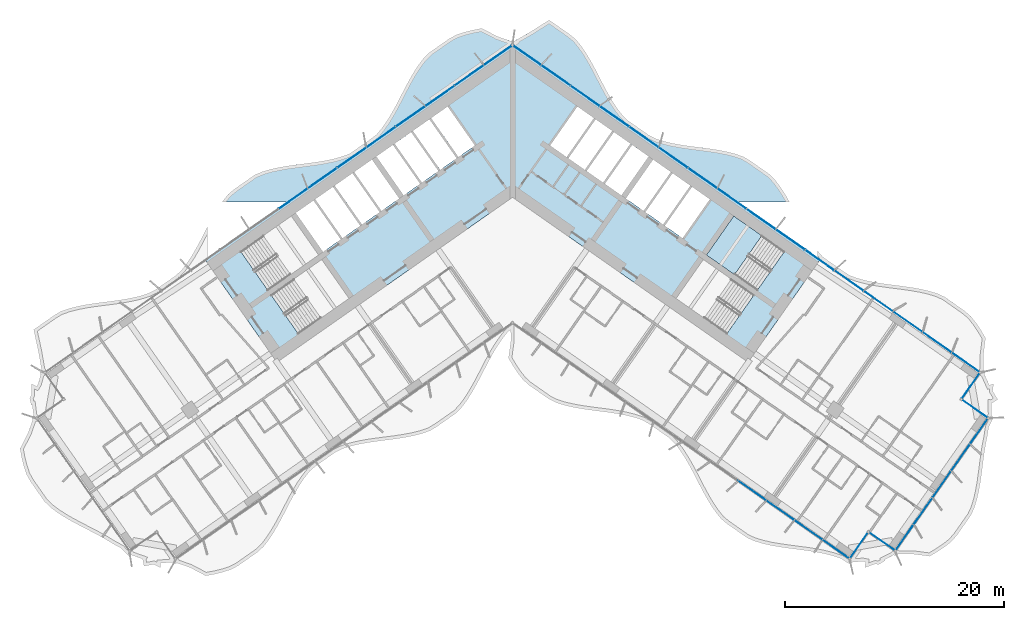
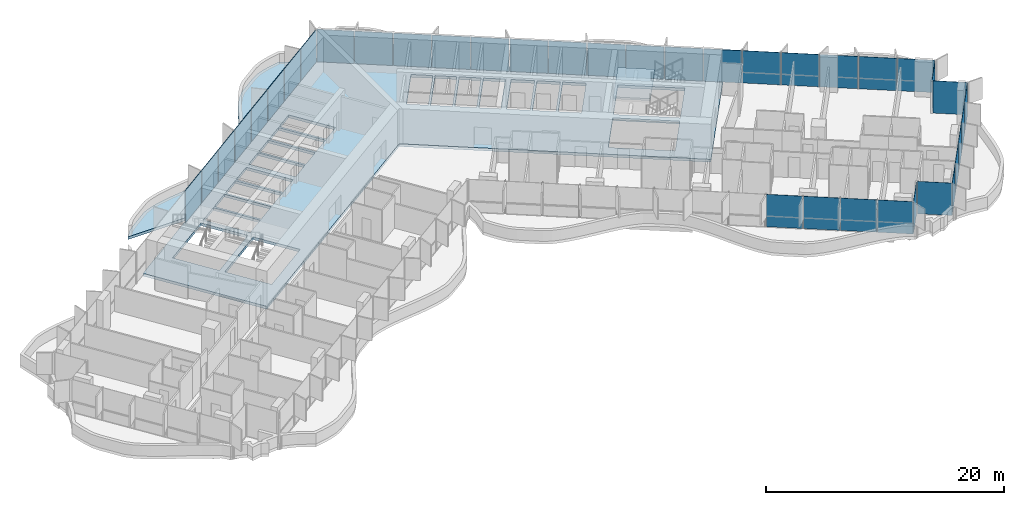
# One storey, part 12 of 25: 37 plates, 3 slabs, 3 elements without a shape of their own.
"""IFC4 building model written with IfcOpenShell, lengths in metres."""

from ifc_helpers import new_model, si_unit, direction, frame, origin, origin_2d, place, context, subcontext, project, spatial, polyline, rectangle, outline, extrude, material, layer, layer_set, type_object, element, aggregate, save


model = new_model("IFC4")

# Units and contexts
model_context = context("Model", 3, precision=1e-05, world=origin(), true_north=direction((0.0, 1.0)))
body_context = subcontext(model_context, "Body", "Model", "MODEL_VIEW")
ifc_project = project(units=[si_unit("LENGTHUNIT", "METRE"), si_unit("AREAUNIT", "SQUARE_METRE"), si_unit("VOLUMEUNIT", "CUBIC_METRE"), si_unit("PLANEANGLEUNIT", "RADIAN"), si_unit("MASSUNIT", "GRAM", prefix="KILO")], contexts=[model_context])

# Site, building, storey
site_placement = place(None, origin())
site = spatial("IfcSite", under=ifc_project, at=site_placement, CompositionType="ELEMENT")
building_placement = place(site_placement, origin())
building = spatial("IfcBuilding", under=site, at=building_placement, Name="Tel Ilan Convention Tower", CompositionType="ELEMENT")
storey_placement = place(building_placement, frame((0.0, 0.0, 61.699951171875)))
storey = spatial("IfcBuildingStorey", under=building, at=storey_placement, Name="L10", CompositionType="ELEMENT", Elevation=61.699951171875)

# Curtain wall, plates
ifc_material_1 = material(Name="Aluminium, bronze anodised", Category="aluminium")
curtain_wall_type_1 = type_object("IfcCurtainWallType", Name="CW1 UNITISED CURTAIN WALL, HOTEL TINTED GLASS", PredefinedType="NOTDEFINED", material=ifc_material_1)
curtain_wall_1_placement = place(storey_placement, origin())
curtain_wall_1 = element("IfcCurtainWall", 1, at=curtain_wall_1_placement, inside=storey, type_object=curtain_wall_type_1, Name="Curtain wall CW1-11.02", PredefinedType="NOTDEFINED")
ifc_material_2 = material(Name="Glass, bronze tinted, two-ply unitised", Category="glass")
ifc_layer_1 = layer(ifc_material_2, 0.028076171875)
ifc_layer_set_1 = layer_set([ifc_layer_1], Name="CW HOTEL GLASS PANEL 28")
plate_type_1 = type_object("IfcPlateType", Name="CW HOTEL GLASS PANEL 28", PredefinedType="CURTAIN_PANEL", material=ifc_layer_set_1)
plate_1_placement = place(storey_placement, frame((21.90185546875, -28.031982421875, 0.0), z_axis=(0.0, 0.0, 1.0), x_axis=(0.819152044289, -0.573576436351, 0.0)))
plate_1 = element("IfcPlate", 2, at=plate_1_placement, type_object=plate_type_1, Name="Glass panel", PredefinedType="CURTAIN_PANEL", context=body_context, shape_type="SweptSolid", body=[
    extrude(rectangle(XDim=3.077392578125, YDim=0.028076171875, at=origin_2d()), origin(), (0.0, 0.0, 1.0), 3.320068359375),
])
plate_2_placement = place(storey_placement, frame((24.4716796875, -29.831298828125, 0.0), z_axis=(0.0, 0.0, 1.0), x_axis=(0.819152044289, -0.573576436351, 0.0)))
plate_2 = element("IfcPlate", 3, at=plate_2_placement, type_object=plate_type_1, Name="Glass panel", PredefinedType="CURTAIN_PANEL", context=body_context, shape_type="SweptSolid", body=[
    extrude(rectangle(XDim=3.077392578125, YDim=0.028076171875, at=origin_2d()), origin(), (0.0, 0.0, 1.0), 3.320068359375),
])
plate_3_placement = place(storey_placement, frame((27.041748046875, -31.630859375, 0.0), z_axis=(0.0, 0.0, 1.0), x_axis=(0.819152044289, -0.573576436351, 0.0)))
plate_3 = element("IfcPlate", 4, at=plate_3_placement, type_object=plate_type_1, Name="Glass panel", PredefinedType="CURTAIN_PANEL", context=body_context, shape_type="SweptSolid", body=[
    extrude(rectangle(XDim=3.077392578125, YDim=0.028076171875, at=origin_2d()), origin(), (0.0, 0.0, 1.0), 3.320068359375),
])
plate_4_placement = place(storey_placement, frame((29.5732421875, -33.4033203125, 0.0), z_axis=(0.0, 0.0, 1.0), x_axis=(0.819152044289, -0.573576436351, 0.0)))
plate_4 = element("IfcPlate", 5, at=plate_4_placement, type_object=plate_type_1, Name="Glass panel", PredefinedType="CURTAIN_PANEL", context=body_context, shape_type="SweptSolid", body=[
    extrude(rectangle(XDim=2.9833984375, YDim=0.028076171875, at=origin_2d()), origin(), (0.0, 0.0, 1.0), 3.320068359375),
])
plate_5_placement = place(storey_placement, frame((31.653076171875, -33.07568359375, 0.0), z_axis=(0.0, 0.0, 1.0), x_axis=(0.573576436351, 0.819152044289, 0.0)))
plate_5 = element("IfcPlate", 6, at=plate_5_placement, type_object=plate_type_1, Name="Glass panel", PredefinedType="CURTAIN_PANEL", context=body_context, shape_type="SweptSolid", body=[
    extrude(rectangle(XDim=2.875, YDim=0.028076171875, at=origin_2d()), origin(), (0.0, 0.0, 1.0), 3.320068359375),
])
plate_6_placement = place(storey_placement, frame((33.795654296875, -32.69775390625, 0.0), z_axis=(0.0, 0.0, 1.0), x_axis=(0.819152044289, -0.573576436351, 0.0)))
plate_6 = element("IfcPlate", 7, at=plate_6_placement, type_object=plate_type_1, Name="Glass panel", PredefinedType="CURTAIN_PANEL", context=body_context, shape_type="SweptSolid", body=[
    extrude(rectangle(XDim=2.875, YDim=0.028076171875, at=origin_2d()), origin(), (0.0, 0.0, 1.0), 3.320068359375),
])
plate_7_placement = place(storey_placement, frame((35.822998046875, -32.350830078125, 0.0), z_axis=(0.0, 0.0, 1.0), x_axis=(0.573576436351, 0.819152044289, 0.0)))
plate_7 = element("IfcPlate", 8, at=plate_7_placement, type_object=plate_type_1, Name="Glass panel", PredefinedType="CURTAIN_PANEL", context=body_context, shape_type="SweptSolid", body=[
    extrude(rectangle(XDim=2.845947265625, YDim=0.028076171875, at=origin_2d()), origin(), (0.0, 0.0, 1.0), 3.320068359375),
])
plate_8_placement = place(storey_placement, frame((37.5166015625, -29.931884765625, 0.0), z_axis=(0.0, 0.0, 1.0), x_axis=(0.573576436351, 0.819152044289, 0.0)))
plate_8 = element("IfcPlate", 9, at=plate_8_placement, type_object=plate_type_1, Name="Glass panel", PredefinedType="CURTAIN_PANEL", context=body_context, shape_type="SweptSolid", body=[
    extrude(rectangle(XDim=2.93994140625, YDim=0.028076171875, at=origin_2d()), origin(), (0.0, 0.0, 1.0), 3.320068359375),
])
plate_9_placement = place(storey_placement, frame((39.2373046875, -27.474365234375, 0.0), z_axis=(0.0, 0.0, 1.0), x_axis=(0.573576436351, 0.819152044289, 0.0)))
plate_9 = element("IfcPlate", 10, at=plate_9_placement, type_object=plate_type_1, Name="Glass panel", PredefinedType="CURTAIN_PANEL", context=body_context, shape_type="SweptSolid", body=[
    extrude(rectangle(XDim=2.93994140625, YDim=0.028076171875, at=origin_2d()), origin(), (0.0, 0.0, 1.0), 3.320068359375),
])
plate_10_placement = place(storey_placement, frame((40.9580078125, -25.016845703125, 0.0), z_axis=(0.0, 0.0, 1.0), x_axis=(0.573576436351, 0.819152044289, 0.0)))
plate_10 = element("IfcPlate", 11, at=plate_10_placement, type_object=plate_type_1, Name="Glass panel", PredefinedType="CURTAIN_PANEL", context=body_context, shape_type="SweptSolid", body=[
    extrude(rectangle(XDim=2.93994140625, YDim=0.028076171875, at=origin_2d()), origin(), (0.0, 0.0, 1.0), 3.320068359375),
])
plate_11_placement = place(storey_placement, frame((42.65185546875, -22.597900390625, 0.0), z_axis=(0.0, 0.0, 1.0), x_axis=(0.573576436351, 0.819152044289, 0.0)))
plate_11 = element("IfcPlate", 12, at=plate_11_placement, type_object=plate_type_1, Name="Glass panel", PredefinedType="CURTAIN_PANEL", context=body_context, shape_type="SweptSolid", body=[
    extrude(rectangle(XDim=2.845947265625, YDim=0.028076171875, at=origin_2d()), origin(), (0.0, 0.0, 1.0), 3.320068359375),
])
plate_12_placement = place(storey_placement, frame((42.28466796875, -20.57421875, 0.0), z_axis=(0.0, 0.0, 1.0), x_axis=(-0.819152044289, 0.573576436351, 0.0)))
plate_12 = element("IfcPlate", 13, at=plate_12_placement, type_object=plate_type_1, Name="Glass panel", PredefinedType="CURTAIN_PANEL", context=body_context, shape_type="SweptSolid", body=[
    extrude(rectangle(XDim=2.875, YDim=0.028076171875, at=origin_2d()), origin(), (0.0, 0.0, 1.0), 3.320068359375),
])
plate_13_placement = place(storey_placement, frame((41.90673828125, -18.431640625, 0.0), z_axis=(0.0, 0.0, 1.0), x_axis=(0.573576436351, 0.819152044289, 0.0)))
plate_13 = element("IfcPlate", 14, at=plate_13_placement, type_object=plate_type_1, Name="Glass panel", PredefinedType="CURTAIN_PANEL", context=body_context, shape_type="SweptSolid", body=[
    extrude(rectangle(XDim=2.875, YDim=0.028076171875, at=origin_2d()), origin(), (0.0, 0.0, 1.0), 3.320068359375),
])
plate_14_placement = place(storey_placement, frame((41.448486328125, -16.326416015625, 0.0), z_axis=(0.0, 0.0, 1.0), x_axis=(-0.819152044289, 0.573576436351, 0.0)))
plate_14 = element("IfcPlate", 15, at=plate_14_placement, type_object=plate_type_1, Name="Glass panel", PredefinedType="CURTAIN_PANEL", context=body_context, shape_type="SweptSolid", body=[
    extrude(rectangle(XDim=3.117919921875, YDim=0.028076171875, at=origin_2d()), origin(), (0.0, 0.0, 1.0), 3.320068359375),
])
plate_15_placement = place(storey_placement, frame((38.806640625, -14.4765625, 0.0), z_axis=(0.0, 0.0, 1.0), x_axis=(-0.819152044289, 0.573576436351, 0.0)))
plate_15 = element("IfcPlate", 16, at=plate_15_placement, type_object=plate_type_1, Name="Glass panel", PredefinedType="CURTAIN_PANEL", context=body_context, shape_type="SweptSolid", body=[
    extrude(rectangle(XDim=3.2119140625, YDim=0.028076171875, at=origin_2d()), origin(), (0.0, 0.0, 1.0), 3.320068359375),
])
plate_16_placement = place(storey_placement, frame((36.12646484375, -12.599853515625, 0.0), z_axis=(0.0, 0.0, 1.0), x_axis=(-0.819152044289, 0.573576436351, 0.0)))
plate_16 = element("IfcPlate", 17, at=plate_16_placement, type_object=plate_type_1, Name="Glass panel", PredefinedType="CURTAIN_PANEL", context=body_context, shape_type="SweptSolid", body=[
    extrude(rectangle(XDim=3.2119140625, YDim=0.028076171875, at=origin_2d()), origin(), (0.0, 0.0, 1.0), 3.320068359375),
])
plate_17_placement = place(storey_placement, frame((33.446044921875, -10.72314453125, 0.0), z_axis=(0.0, 0.0, 1.0), x_axis=(-0.819152044289, 0.573576436351, 0.0)))
plate_17 = element("IfcPlate", 18, at=plate_17_placement, type_object=plate_type_1, Name="Glass panel", PredefinedType="CURTAIN_PANEL", context=body_context, shape_type="SweptSolid", body=[
    extrude(rectangle(XDim=3.2119140625, YDim=0.028076171875, at=origin_2d()), origin(), (0.0, 0.0, 1.0), 3.320068359375),
])
plate_18_placement = place(storey_placement, frame((30.765869140625, -8.846435546875, 0.0), z_axis=(0.0, 0.0, 1.0), x_axis=(-0.819152044289, 0.573576436351, 0.0)))
plate_18 = element("IfcPlate", 19, at=plate_18_placement, type_object=plate_type_1, Name="Glass panel", PredefinedType="CURTAIN_PANEL", context=body_context, shape_type="SweptSolid", body=[
    extrude(rectangle(XDim=3.2119140625, YDim=0.028076171875, at=origin_2d()), origin(), (0.0, 0.0, 1.0), 3.320068359375),
])
aggregate(curtain_wall_1, [plate_1, plate_2, plate_3, plate_4, plate_5, plate_6, plate_7, plate_8, plate_9, plate_10, plate_11, plate_12, plate_13, plate_14, plate_15, plate_16, plate_17, plate_18])

ifc_material_3 = material(Name="Aluminium, bronze anodised", Category="aluminium")
curtain_wall_type_2 = type_object("IfcCurtainWallType", Name="CW2 STICK CURTAIN WALL, SPANDREL PANELS", PredefinedType="NOTDEFINED", material=ifc_material_3)
curtain_wall_2_placement = place(storey_placement, origin())
curtain_wall_2 = element("IfcCurtainWall", 20, at=curtain_wall_2_placement, inside=storey, type_object=curtain_wall_type_2, Name="Curtain wall CW2-11.01", PredefinedType="NOTDEFINED")
ifc_material_4 = material(Name="Aluminium composite panel, bronze anodised", Category="aluminium")
ifc_layer_2 = layer(ifc_material_4, 0.06005859375)
ifc_layer_set_2 = layer_set([ifc_layer_2], Name="CW SPANDREL PANEL 60")
plate_type_2 = type_object("IfcPlateType", Name="CW SPANDREL PANEL 60", PredefinedType="CURTAIN_PANEL", material=ifc_layer_set_2)
plate_19_placement = place(storey_placement, frame((28.08544921875, -6.9697265625, 0.0), z_axis=(0.0, 0.0, 1.0), x_axis=(-0.819152044289, 0.573576436351, 0.0)))
plate_19 = element("IfcPlate", 21, at=plate_19_placement, type_object=plate_type_2, Name="Spandrel panel", PredefinedType="CURTAIN_PANEL", context=body_context, shape_type="SweptSolid", body=[
    extrude(rectangle(XDim=3.2119140625, YDim=0.06005859375, at=origin_2d()), origin(), (0.0, 0.0, 1.0), 3.320068359375),
])
plate_20_placement = place(storey_placement, frame((25.4052734375, -5.0927734375, 0.0), z_axis=(0.0, 0.0, 1.0), x_axis=(-0.819152044289, 0.573576436351, 0.0)))
plate_20 = element("IfcPlate", 22, at=plate_20_placement, type_object=plate_type_2, Name="Spandrel panel", PredefinedType="CURTAIN_PANEL", context=body_context, shape_type="SweptSolid", body=[
    extrude(rectangle(XDim=3.2119140625, YDim=0.06005859375, at=origin_2d()), origin(), (0.0, 0.0, 1.0), 3.320068359375),
])
plate_21_placement = place(storey_placement, frame((22.72509765625, -3.216064453125, 0.0), z_axis=(0.0, 0.0, 1.0), x_axis=(-0.819152044289, 0.573576436351, 0.0)))
plate_21 = element("IfcPlate", 23, at=plate_21_placement, type_object=plate_type_2, Name="Spandrel panel", PredefinedType="CURTAIN_PANEL", context=body_context, shape_type="SweptSolid", body=[
    extrude(rectangle(XDim=3.2119140625, YDim=0.06005859375, at=origin_2d()), origin(), (0.0, 0.0, 1.0), 3.320068359375),
])
plate_22_placement = place(storey_placement, frame((20.044677734375, -1.33935546875, 0.0), z_axis=(0.0, 0.0, 1.0), x_axis=(-0.819152044289, 0.573576436351, 0.0)))
plate_22 = element("IfcPlate", 24, at=plate_22_placement, type_object=plate_type_2, Name="Spandrel panel", PredefinedType="CURTAIN_PANEL", context=body_context, shape_type="SweptSolid", body=[
    extrude(rectangle(XDim=3.2119140625, YDim=0.06005859375, at=origin_2d()), origin(), (0.0, 0.0, 1.0), 3.320068359375),
])
plate_23_placement = place(storey_placement, frame((17.364501953125, 0.537353515625, 0.0), z_axis=(0.0, 0.0, 1.0), x_axis=(-0.819152044289, 0.573576436351, 0.0)))
plate_23 = element("IfcPlate", 25, at=plate_23_placement, type_object=plate_type_2, Name="Spandrel panel", PredefinedType="CURTAIN_PANEL", context=body_context, shape_type="SweptSolid", body=[
    extrude(rectangle(XDim=3.2119140625, YDim=0.06005859375, at=origin_2d()), origin(), (0.0, 0.0, 1.0), 3.320068359375),
])
plate_24_placement = place(storey_placement, frame((14.68408203125, 2.4140625, 0.0), z_axis=(0.0, 0.0, 1.0), x_axis=(-0.819152044289, 0.573576436351, 0.0)))
plate_24 = element("IfcPlate", 26, at=plate_24_placement, type_object=plate_type_2, Name="Spandrel panel", PredefinedType="CURTAIN_PANEL", context=body_context, shape_type="SweptSolid", body=[
    extrude(rectangle(XDim=3.2119140625, YDim=0.06005859375, at=origin_2d()), origin(), (0.0, 0.0, 1.0), 3.320068359375),
])
plate_25_placement = place(storey_placement, frame((12.00390625, 4.290771484375, 0.0), z_axis=(0.0, 0.0, 1.0), x_axis=(-0.819152044289, 0.573576436351, 0.0)))
plate_25 = element("IfcPlate", 27, at=plate_25_placement, type_object=plate_type_2, Name="Spandrel panel", PredefinedType="CURTAIN_PANEL", context=body_context, shape_type="SweptSolid", body=[
    extrude(rectangle(XDim=3.2119140625, YDim=0.06005859375, at=origin_2d()), origin(), (0.0, 0.0, 1.0), 3.320068359375),
])
plate_26_placement = place(storey_placement, frame((9.323486328125, 6.16748046875, 0.0), z_axis=(0.0, 0.0, 1.0), x_axis=(-0.819152044289, 0.573576436351, 0.0)))
plate_26 = element("IfcPlate", 28, at=plate_26_placement, type_object=plate_type_2, Name="Spandrel panel", PredefinedType="CURTAIN_PANEL", context=body_context, shape_type="SweptSolid", body=[
    extrude(rectangle(XDim=3.2119140625, YDim=0.06005859375, at=origin_2d()), origin(), (0.0, 0.0, 1.0), 3.320068359375),
])
plate_27_placement = place(storey_placement, frame((6.643310546875, 8.04443359375, 0.0), z_axis=(0.0, 0.0, 1.0), x_axis=(-0.819152044289, 0.573576436351, 0.0)))
plate_27 = element("IfcPlate", 29, at=plate_27_placement, type_object=plate_type_2, Name="Spandrel panel", PredefinedType="CURTAIN_PANEL", context=body_context, shape_type="SweptSolid", body=[
    extrude(rectangle(XDim=3.2119140625, YDim=0.06005859375, at=origin_2d()), origin(), (0.0, 0.0, 1.0), 3.320068359375),
])
plate_28_placement = place(storey_placement, frame((3.963134765625, 9.921142578125, 0.0), z_axis=(0.0, 0.0, 1.0), x_axis=(-0.819152044289, 0.573576436351, 0.0)))
plate_28 = element("IfcPlate", 30, at=plate_28_placement, type_object=plate_type_2, Name="Spandrel panel", PredefinedType="CURTAIN_PANEL", context=body_context, shape_type="SweptSolid", body=[
    extrude(rectangle(XDim=3.2119140625, YDim=0.06005859375, at=origin_2d()), origin(), (0.0, 0.0, 1.0), 3.320068359375),
])
plate_29_placement = place(storey_placement, frame((1.327880859375, 11.766357421875, 0.0), z_axis=(0.0, 0.0, 1.0), x_axis=(-0.819152044289, 0.573576436351, 0.0)))
plate_29 = element("IfcPlate", 31, at=plate_29_placement, type_object=plate_type_2, Name="Spandrel panel", PredefinedType="CURTAIN_PANEL", context=body_context, shape_type="SweptSolid", body=[
    extrude(rectangle(XDim=3.10205078125, YDim=0.06005859375, at=origin_2d()), origin(), (0.0, 0.0, 1.0), 3.320068359375),
])
plate_30_placement = place(storey_placement, frame((-1.327880859375, 11.766357421875, 0.0), z_axis=(0.0, 0.0, 1.0), x_axis=(-0.819152044289, -0.573576436351, 0.0)))
plate_30 = element("IfcPlate", 32, at=plate_30_placement, type_object=plate_type_2, Name="Spandrel panel", PredefinedType="CURTAIN_PANEL", context=body_context, shape_type="SweptSolid", body=[
    extrude(rectangle(XDim=3.10205078125, YDim=0.06005859375, at=origin_2d()), origin(), (0.0, 0.0, 1.0), 3.320068359375),
])
plate_31_placement = place(storey_placement, frame((-3.963134765625, 9.921142578125, 0.0), z_axis=(0.0, 0.0, 1.0), x_axis=(-0.819152044289, -0.573576436351, 0.0)))
plate_31 = element("IfcPlate", 33, at=plate_31_placement, type_object=plate_type_2, Name="Spandrel panel", PredefinedType="CURTAIN_PANEL", context=body_context, shape_type="SweptSolid", body=[
    extrude(rectangle(XDim=3.2119140625, YDim=0.06005859375, at=origin_2d()), origin(), (0.0, 0.0, 1.0), 3.320068359375),
])
plate_32_placement = place(storey_placement, frame((-6.643310546875, 8.04443359375, 0.0), z_axis=(0.0, 0.0, 1.0), x_axis=(-0.819152044289, -0.573576436351, 0.0)))
plate_32 = element("IfcPlate", 34, at=plate_32_placement, type_object=plate_type_2, Name="Spandrel panel", PredefinedType="CURTAIN_PANEL", context=body_context, shape_type="SweptSolid", body=[
    extrude(rectangle(XDim=3.2119140625, YDim=0.06005859375, at=origin_2d()), origin(), (0.0, 0.0, 1.0), 3.320068359375),
])
plate_33_placement = place(storey_placement, frame((-9.323486328125, 6.16748046875, 0.0), z_axis=(0.0, 0.0, 1.0), x_axis=(-0.819152044289, -0.573576436351, 0.0)))
plate_33 = element("IfcPlate", 35, at=plate_33_placement, type_object=plate_type_2, Name="Spandrel panel", PredefinedType="CURTAIN_PANEL", context=body_context, shape_type="SweptSolid", body=[
    extrude(rectangle(XDim=3.2119140625, YDim=0.06005859375, at=origin_2d()), origin(), (0.0, 0.0, 1.0), 3.320068359375),
])
plate_34_placement = place(storey_placement, frame((-12.00390625, 4.290771484375, 0.0), z_axis=(0.0, 0.0, 1.0), x_axis=(-0.819152044289, -0.573576436351, 0.0)))
plate_34 = element("IfcPlate", 36, at=plate_34_placement, type_object=plate_type_2, Name="Spandrel panel", PredefinedType="CURTAIN_PANEL", context=body_context, shape_type="SweptSolid", body=[
    extrude(rectangle(XDim=3.2119140625, YDim=0.06005859375, at=origin_2d()), origin(), (0.0, 0.0, 1.0), 3.320068359375),
])
plate_35_placement = place(storey_placement, frame((-14.68408203125, 2.4140625, 0.0), z_axis=(0.0, 0.0, 1.0), x_axis=(-0.819152044289, -0.573576436351, 0.0)))
plate_35 = element("IfcPlate", 37, at=plate_35_placement, type_object=plate_type_2, Name="Spandrel panel", PredefinedType="CURTAIN_PANEL", context=body_context, shape_type="SweptSolid", body=[
    extrude(rectangle(XDim=3.2119140625, YDim=0.06005859375, at=origin_2d()), origin(), (0.0, 0.0, 1.0), 3.320068359375),
])
plate_36_placement = place(storey_placement, frame((-17.364501953125, 0.537353515625, 0.0), z_axis=(0.0, 0.0, 1.0), x_axis=(-0.819152044289, -0.573576436351, 0.0)))
plate_36 = element("IfcPlate", 38, at=plate_36_placement, type_object=plate_type_2, Name="Spandrel panel", PredefinedType="CURTAIN_PANEL", context=body_context, shape_type="SweptSolid", body=[
    extrude(rectangle(XDim=3.2119140625, YDim=0.06005859375, at=origin_2d()), origin(), (0.0, 0.0, 1.0), 3.320068359375),
])
plate_37_placement = place(storey_placement, frame((-20.044677734375, -1.33935546875, 0.0), z_axis=(0.0, 0.0, 1.0), x_axis=(-0.819152044289, -0.573576436351, 0.0)))
plate_37 = element("IfcPlate", 39, at=plate_37_placement, type_object=plate_type_2, Name="Spandrel panel", PredefinedType="CURTAIN_PANEL", context=body_context, shape_type="SweptSolid", body=[
    extrude(rectangle(XDim=3.2119140625, YDim=0.06005859375, at=origin_2d()), origin(), (0.0, 0.0, 1.0), 3.320068359375),
])
aggregate(curtain_wall_2, [plate_19, plate_20, plate_21, plate_22, plate_23, plate_24, plate_25, plate_26, plate_27, plate_28, plate_29, plate_30, plate_31, plate_32, plate_33, plate_34, plate_35, plate_36, plate_37])

# Stair, slab
ifc_material_5 = material(Name="Concrete C40/50", Category="concrete")
stair_type = type_object("IfcStairType", Name="Pressurised Exit Stair 20 risers 180 mm", PredefinedType="HALF_TURN_STAIR", material=ifc_material_5)
stair_placement = place(storey_placement, origin())
stair = element("IfcStair", 40, at=stair_placement, inside=storey, type_object=stair_type, Name="L10 Pressurised Stair S3", PredefinedType="HALF_TURN_STAIR")
ifc_material_6 = material(Name="Concrete C40/50", Category="concrete")
ifc_layer_3 = layer(ifc_material_6, 0.199951171875)
ifc_layer_set_3 = layer_set([ifc_layer_3], Name="Concrete Stair Landing 200 mm C40/50")
slab_type_1 = type_object("IfcSlabType", Name="Concrete Stair Landing 200 mm", PredefinedType="LANDING", material=ifc_layer_set_3)
slab_1_placement = place(storey_placement, frame((0.0, 0.0, 1.60009765625)))
slab_1 = element("IfcSlab", 41, at=slab_1_placement, type_object=slab_type_1, Name="S3 landing 1", PredefinedType="LANDING", context=body_context, shape_type="SweptSolid", body=[
    extrude(outline(polyline([(22.791015625, -4.727294921875), (20.226318359375, -2.931640625), (17.7314453125, -6.494873046875), (20.2958984375, -8.29052734375), (22.791015625, -4.727294921875)])), origin(), (0.0, 0.0, 1.0), 0.199951171875),
])
aggregate(stair, [slab_1])

# Slabs
ifc_material_7 = material(Name="Concrete C40/50", Category="concrete")
ifc_layer_4 = layer(ifc_material_7, 0.280029296875)
ifc_layer_set_4 = layer_set([ifc_layer_4], Name="Core Floor Slab 280 mm C40/50")
slab_type_2 = type_object("IfcSlabType", Name="Core Floor Slab 280 mm C40/50", PredefinedType="FLOOR", material=ifc_layer_set_4)
slab_2_placement = place(storey_placement, frame((0.0, 0.0, -0.280029296875)))
element("IfcSlab", 42, at=slab_2_placement, inside=storey, type_object=slab_type_2, Name="L10 core floor 1", PredefinedType="FLOOR", context=body_context, shape_type="SweptSolid", body=[
    extrude(outline(polyline([(-0.2412109375, 12.6494140625), (-1.02099609375, 12.103271484375), (0.0, 12.818115234375), (28.1396484375, -6.885498046875), (21.54345703125, -16.3056640625), (0.0, -1.220703125), (-21.54345703125, -16.3056640625), (-28.1396484375, -6.885498046875), (-1.304931640625, 11.904296875), (-0.2412109375, 12.6494140625), (-6.190673828125, 8.4833984375), (-0.2412109375, 12.6494140625)]), holes=[polyline([(-14.949462890625, -10.4677734375), (-17.444580078125, -6.904541015625), (-22.072021484375, -10.144775390625), (-19.5771484375, -13.7080078125), (-14.949462890625, -10.4677734375)]), polyline([(-17.7314453125, -6.494873046875), (-20.226318359375, -2.931640625), (-24.85400390625, -6.171875), (-22.35888671875, -9.735107421875), (-17.7314453125, -6.494873046875)]), polyline([(-18.198974609375, -1.511962890625), (-19.81689453125, -2.644775390625), (-17.32177734375, -6.2080078125), (-15.7041015625, -5.0751953125), (-18.198974609375, -1.511962890625)]), polyline([(-16.41748046875, -0.264404296875), (-18.03515625, -1.397216796875), (-15.5400390625, -4.960693359375), (-13.92236328125, -3.827880859375), (-16.41748046875, -0.264404296875)]), polyline([(-14.6357421875, 0.983154296875), (-16.25341796875, -0.149658203125), (-13.758544921875, -3.712890625), (-12.140625, -2.580078125), (-14.6357421875, 0.983154296875)]), polyline([(-12.85400390625, 2.230712890625), (-14.471923828125, 1.097900390625), (-11.976806640625, -2.465576171875), (-10.35888671875, -1.332763671875), (-12.85400390625, 2.230712890625)]), polyline([(-10.939208984375, 3.5712890625), (-12.444580078125, 2.517333984375), (-9.949462890625, -1.0458984375), (-8.444091796875, 0.008056640625), (-10.939208984375, 3.5712890625)]), polyline([(-6.775146484375, 1.1767578125), (-9.270263671875, 4.739990234375), (-10.775390625, 3.68603515625), (-8.280517578125, 0.122802734375), (-6.775146484375, 1.1767578125)]), polyline([(-5.106201171875, 2.345458984375), (-7.601318359375, 5.90869140625), (-9.1064453125, 4.854736328125), (-6.611328125, 1.29150390625), (-5.106201171875, 2.345458984375)]), polyline([(-5.93212890625, 7.077392578125), (-7.4375, 6.0234375), (-4.9423828125, 2.460205078125), (-3.437255859375, 3.513916015625), (-5.93212890625, 7.077392578125)]), polyline([(17.444580078125, -6.904541015625), (14.949462890625, -10.4677734375), (19.5771484375, -13.7080078125), (22.072021484375, -10.144775390625), (17.444580078125, -6.904541015625)]), polyline([(20.226318359375, -2.931640625), (17.7314453125, -6.494873046875), (22.35888671875, -9.735107421875), (24.85400390625, -6.171875), (20.226318359375, -2.931640625)]), polyline([(13.92236328125, -3.827880859375), (15.5400390625, -4.960693359375), (18.03515625, -1.397216796875), (16.41748046875, -0.264404296875), (13.92236328125, -3.827880859375)]), polyline([(12.140625, -2.580078125), (13.758544921875, -3.712890625), (16.25341796875, -0.149658203125), (14.6357421875, 0.983154296875), (12.140625, -2.580078125)]), polyline([(11.976806640625, -2.465576171875), (14.471923828125, 1.097900390625), (12.85400390625, 2.230712890625), (10.35888671875, -1.332763671875), (11.976806640625, -2.465576171875)]), polyline([(9.949462890625, -1.0458984375), (12.444580078125, 2.517333984375), (10.939208984375, 3.5712890625), (8.444091796875, 0.008056640625), (9.949462890625, -1.0458984375)]), polyline([(8.280517578125, 0.122802734375), (10.775390625, 3.68603515625), (9.270263671875, 4.739990234375), (6.775146484375, 1.1767578125), (8.280517578125, 0.122802734375)]), polyline([(5.106201171875, 2.345458984375), (6.611328125, 1.29150390625), (9.1064453125, 4.854736328125), (7.601318359375, 5.90869140625), (5.106201171875, 2.345458984375)]), polyline([(3.437255859375, 3.513916015625), (4.9423828125, 2.460205078125), (7.4375, 6.0234375), (5.93212890625, 7.077392578125), (3.437255859375, 3.513916015625)])]), origin(), (0.0, 0.0, 1.0), 0.280029296875),
])
ifc_material_8 = material(Name="Concrete C40/50", Category="concrete")
ifc_layer_5 = layer(ifc_material_8, 0.280029296875)
ifc_layer_set_5 = layer_set([ifc_layer_5], Name="Edge Ledge Slab 280 mm C40/50")
slab_type_3 = type_object("IfcSlabType", Name="Edge Ledge Slab 280 mm C40/50", PredefinedType="FLOOR", material=ifc_layer_set_5)
slab_3_placement = place(storey_placement, frame((0.0, 0.0, -0.280029296875)))
element("IfcSlab", 43, at=slab_3_placement, inside=storey, type_object=slab_type_3, Name="L10 edge ledge 2", PredefinedType="FLOOR", context=body_context, shape_type="SweptSolid", body=[
    extrude(outline(polyline([(-23.564453125, 0.8349609375), (-22.857421875, 1.129150390625), (-22.099365234375, 1.350341796875), (-21.307861328125, 1.52392578125), (-20.490966796875, 1.661376953125), (-19.658203125, 1.77587890625), (-18.8193359375, 1.881591796875), (-17.98486328125, 1.993896484375), (-17.16455078125, 2.12646484375), (-16.368408203125, 2.29296875), (-15.60400390625, 2.50537109375), (-14.87890625, 2.773681640625), (-14.2626953125, 3.197509765625), (-13.037353515625, 4.055419921875), (-12.43994140625, 4.506103515625), (-11.945068359375, 5.103271484375), (-11.48828125, 5.755126953125), (-11.06298828125, 6.451416015625), (-10.66015625, 7.179931640625), (-10.2705078125, 7.927490234375), (-9.8837890625, 8.67919921875), (-9.489990234375, 9.42041015625), (-9.078857421875, 10.13720703125), (-8.641357421875, 10.81640625), (-8.169677734375, 11.446533203125), (-7.635986328125, 11.98828125), (-5.798095703125, 13.275146484375), (-5.14013671875, 13.639404296875), (-4.39794921875, 13.88330078125), (-3.619384765625, 14.075439453125), (-2.81201171875, 14.226318359375), (-1.382080078125, 13.48828125), (-0.172119140625, 13.06396484375), (-0.168701171875, 13.05908203125), (-0.11474609375, 13.09521484375), (0.0, 13.1181640625), (0.11474609375, 13.09521484375), (0.168701171875, 13.05908203125), (0.172119140625, 13.06396484375), (1.705810546875, 13.95068359375), (3.347412109375, 14.990966796875), (3.960205078125, 14.56201171875), (5.185302734375, 13.7041015625), (5.7705078125, 13.23583984375), (6.26025390625, 12.63134765625), (6.712646484375, 11.9736328125), (7.134765625, 11.272705078125), (7.535400390625, 10.540771484375), (7.924072265625, 9.7919921875), (8.31103515625, 9.040771484375), (8.70654296875, 8.3017578125), (9.12060546875, 7.589111328125), (9.56201171875, 6.915283203125), (10.038330078125, 6.2919921875), (10.5869140625, 5.771484375), (12.4248046875, 4.484619140625), (13.0966796875, 4.139892578125), (13.843505859375, 3.903076171875), (14.626220703125, 3.716796875), (15.4365234375, 3.570068359375), (16.265625, 3.4501953125), (17.103759765625, 3.343505859375), (17.940673828125, 3.234619140625), (18.76611328125, 3.109619140625), (19.5703125, 2.9541015625), (20.344482421875, 2.756103515625), (21.081787109375, 2.505126953125), (21.7265625, 2.121826171875), (23.564453125, 0.8349609375), (24.082763671875, 0.271240234375), (24.5498046875, -0.365478515625), (24.983642578125, -1.0498046875), (25.313232421875, -1.631591796875), (20.63623046875, -1.631591796875), (0.0, 12.818115234375), (-0.23974609375, 12.650146484375), (-1.244384765625, 11.94677734375), (-20.63623046875, -1.631591796875), (-26.5380859375, -1.631591796875), (-26.470947265625, -1.533447265625), (-25.98291015625, -0.9267578125), (-25.40234375, -0.451904296875), (-23.564453125, 0.8349609375)])), origin(), (0.0, 0.0, 1.0), 0.280029296875),
])

save(model, "model.ifc")
